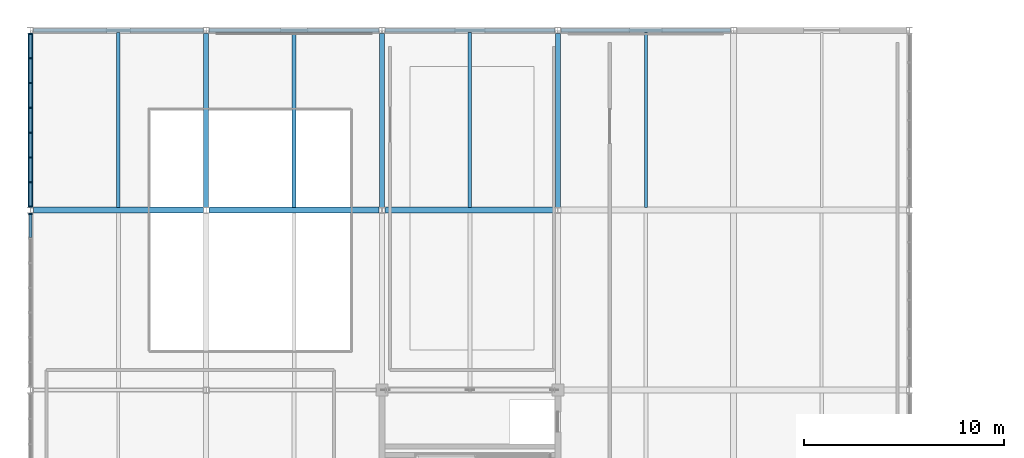
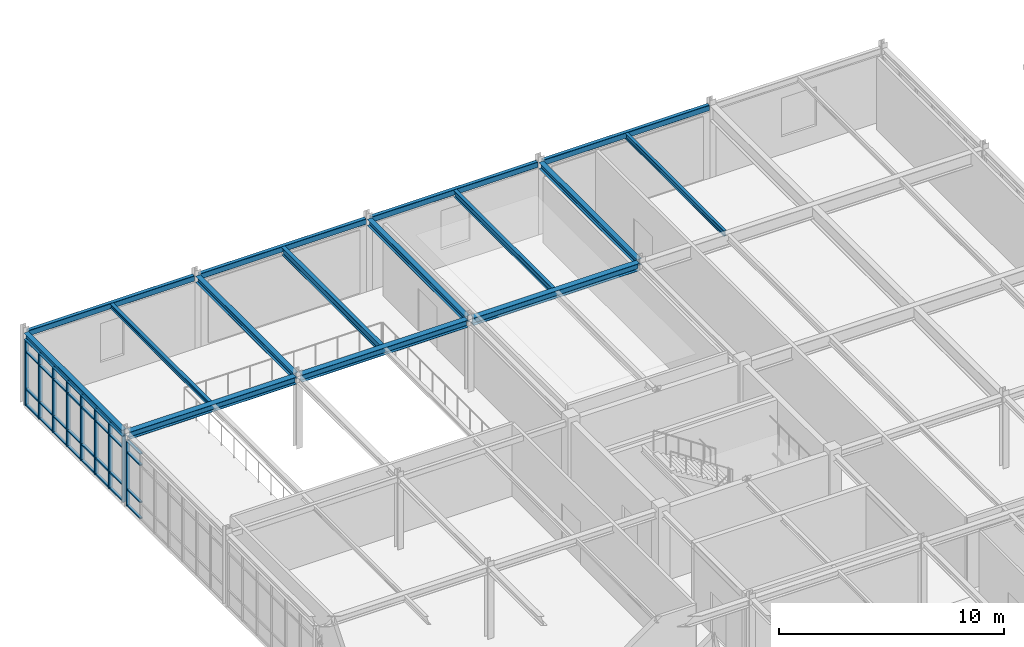
# One storey, part 34 of 88: 41 members, 15 beams, 2 elements without a shape of their own.
"""IFC4 building model written with IfcOpenShell, lengths in metres."""

from ifc_helpers import new_model, si_unit, direction, frame, origin, origin_2d, place, context, subcontext, project, spatial, rectangle, hollow_rectangle, i_section, extrude, material, material_profile, profile_set, type_object, element, aggregate, save


model = new_model("IFC4")

# Units and contexts
model_context = context("Model", 3, precision=1e-05, world=origin(), true_north=direction((0.0, 1.0)))
body_context = subcontext(model_context, "Body", "Model", "MODEL_VIEW")
ifc_project = project(units=[si_unit("LENGTHUNIT", "METRE"), si_unit("AREAUNIT", "SQUARE_METRE"), si_unit("VOLUMEUNIT", "CUBIC_METRE"), si_unit("PLANEANGLEUNIT", "RADIAN"), si_unit("MASSUNIT", "GRAM", prefix="KILO")], contexts=[model_context])

# Site, building, storey
site_placement = place(None, origin())
site = spatial("IfcSite", under=ifc_project, at=site_placement, CompositionType="ELEMENT")
building_placement = place(site_placement, origin())
building = spatial("IfcBuilding", under=site, at=building_placement, Name="Zhaolan Boulevard Law Courts", CompositionType="ELEMENT")
storey_placement = place(building_placement, frame((0.0, 0.0, 16.199951171875)))
storey = spatial("IfcBuildingStorey", under=building, at=storey_placement, Name="L03", CompositionType="ELEMENT", Elevation=16.199951171875)

# Curtain wall, member
ifc_material_1 = material(Name="Thermally broken aluminium and low-E glazing", Category="aluminium")
curtain_wall_type_1 = type_object("IfcCurtainWallType", Name="CURTAIN WALL M5", PredefinedType="USERDEFINED", material=ifc_material_1)
curtain_wall_1_placement = place(storey_placement, origin())
curtain_wall_1 = element("IfcCurtainWall", 1, at=curtain_wall_1_placement, inside=storey, type_object=curtain_wall_type_1, Name="Curtain Wall CW-L03-125", ObjectType="CURTAIN WALL", PredefinedType="USERDEFINED")
ifc_material_2 = material(Name="Fluorocarbon-coated aluminium 6063-T6", Category="aluminium")
ifc_material_profile_1 = material_profile(ifc_material_2, rectangle(XDim=0.179931640625, YDim=0.06494140625, at=origin_2d()), Name="AL65x180")
ifc_profile_set_1 = profile_set([ifc_material_profile_1], Name="Fluorocarbon-coated aluminium 6063-T6")
member_type_1 = type_object("IfcMemberType", Name="CWMULLION 65X180", PredefinedType="MULLION", material=ifc_profile_set_1)
member_1_placement = place(storey_placement, frame((0.0, 102.8154296875, 0.0), z_axis=(0.0, 0.0, 1.0), x_axis=(1.0, 0.0, 0.0)))
member_1 = element("IfcMember", 2, at=member_1_placement, type_object=member_type_1, Name="CW-L03-125 mullion 1", PredefinedType="MULLION", context=body_context, shape_type="SweptSolid", body=[
    extrude(rectangle(XDim=0.179931640625, YDim=0.06494140625, at=origin_2d()), origin(), (0.0, 0.0, 1.0), 3.56298828125),
])

# Curtain wall, members
ifc_material_3 = material(Name="Thermally broken aluminium and low-E glazing", Category="aluminium")
curtain_wall_type_2 = type_object("IfcCurtainWallType", Name="CURTAIN WALL M6", PredefinedType="USERDEFINED", material=ifc_material_3)
curtain_wall_2_placement = place(storey_placement, origin())
curtain_wall_2 = element("IfcCurtainWall", 3, at=curtain_wall_2_placement, inside=storey, type_object=curtain_wall_type_2, Name="Curtain Wall CW-L03-126", ObjectType="CURTAIN WALL", PredefinedType="USERDEFINED")
member_2_placement = place(storey_placement, frame((0.0, 111.8154296875, 0.0), z_axis=(0.0, 0.0, 1.0), x_axis=(1.0, 0.0, 0.0)))
member_2 = element("IfcMember", 4, at=member_2_placement, type_object=member_type_1, Name="CW-L03-126 mullion 1", PredefinedType="MULLION", context=body_context, shape_type="SweptSolid", body=[
    extrude(rectangle(XDim=0.179931640625, YDim=0.06494140625, at=origin_2d()), origin(), (0.0, 0.0, 1.0), 3.56298828125),
])
member_3_placement = place(storey_placement, frame((0.0, 110.605712890625, 0.0), z_axis=(0.0, 0.0, 1.0), x_axis=(1.0, 0.0, 0.0)))
member_3 = element("IfcMember", 5, at=member_3_placement, type_object=member_type_1, Name="CW-L03-126 mullion 2", PredefinedType="MULLION", context=body_context, shape_type="SweptSolid", body=[
    extrude(rectangle(XDim=0.179931640625, YDim=0.06494140625, at=origin_2d()), origin(), (0.0, 0.0, 1.0), 3.56298828125),
])
member_4_placement = place(storey_placement, frame((0.0, 109.363525390625, 0.0), z_axis=(0.0, 0.0, 1.0), x_axis=(1.0, 0.0, 0.0)))
member_4 = element("IfcMember", 6, at=member_4_placement, type_object=member_type_1, Name="CW-L03-126 mullion 3", PredefinedType="MULLION", context=body_context, shape_type="SweptSolid", body=[
    extrude(rectangle(XDim=0.179931640625, YDim=0.06494140625, at=origin_2d()), origin(), (0.0, 0.0, 1.0), 3.56298828125),
])
member_5_placement = place(storey_placement, frame((0.0, 108.12109375, 0.0), z_axis=(0.0, 0.0, 1.0), x_axis=(1.0, 0.0, 0.0)))
member_5 = element("IfcMember", 7, at=member_5_placement, type_object=member_type_1, Name="CW-L03-126 mullion 4", PredefinedType="MULLION", context=body_context, shape_type="SweptSolid", body=[
    extrude(rectangle(XDim=0.179931640625, YDim=0.06494140625, at=origin_2d()), origin(), (0.0, 0.0, 1.0), 3.56298828125),
])
member_6_placement = place(storey_placement, frame((0.0, 106.87890625, 0.0), z_axis=(0.0, 0.0, 1.0), x_axis=(1.0, 0.0, 0.0)))
member_6 = element("IfcMember", 8, at=member_6_placement, type_object=member_type_1, Name="CW-L03-126 mullion 5", PredefinedType="MULLION", context=body_context, shape_type="SweptSolid", body=[
    extrude(rectangle(XDim=0.179931640625, YDim=0.06494140625, at=origin_2d()), origin(), (0.0, 0.0, 1.0), 3.56298828125),
])
member_7_placement = place(storey_placement, frame((0.0, 105.636474609375, 0.0), z_axis=(0.0, 0.0, 1.0), x_axis=(1.0, 0.0, 0.0)))
member_7 = element("IfcMember", 9, at=member_7_placement, type_object=member_type_1, Name="CW-L03-126 mullion 6", PredefinedType="MULLION", context=body_context, shape_type="SweptSolid", body=[
    extrude(rectangle(XDim=0.179931640625, YDim=0.06494140625, at=origin_2d()), origin(), (0.0, 0.0, 1.0), 3.56298828125),
])
member_8_placement = place(storey_placement, frame((0.0, 104.394287109375, 0.0), z_axis=(0.0, 0.0, 1.0), x_axis=(1.0, 0.0, 0.0)))
member_8 = element("IfcMember", 10, at=member_8_placement, type_object=member_type_1, Name="CW-L03-126 mullion 7", PredefinedType="MULLION", context=body_context, shape_type="SweptSolid", body=[
    extrude(rectangle(XDim=0.179931640625, YDim=0.06494140625, at=origin_2d()), origin(), (0.0, 0.0, 1.0), 3.56298828125),
])
member_9_placement = place(storey_placement, frame((0.0, 103.1845703125, 0.0), z_axis=(0.0, 0.0, 1.0), x_axis=(1.0, 0.0, 0.0)))
member_9 = element("IfcMember", 11, at=member_9_placement, type_object=member_type_1, Name="CW-L03-126 mullion 8", PredefinedType="MULLION", context=body_context, shape_type="SweptSolid", body=[
    extrude(rectangle(XDim=0.179931640625, YDim=0.06494140625, at=origin_2d()), origin(), (0.0, 0.0, 1.0), 3.56298828125),
])

# Member
ifc_material_4 = material(Name="Fluorocarbon-coated aluminium 6063-T6", Category="aluminium")
ifc_material_profile_2 = material_profile(ifc_material_4, rectangle(XDim=0.139892578125, YDim=0.06494140625, at=origin_2d()), Name="AL65x140")
ifc_profile_set_2 = profile_set([ifc_material_profile_2], Name="Fluorocarbon-coated aluminium 6063-T6")
member_type_2 = type_object("IfcMemberType", Name="CWTRANSOM 65X140", PredefinedType="USERDEFINED", material=ifc_profile_set_2)
member_10_placement = place(storey_placement, frame((0.0, 102.782958984375, 0.032470703125), z_axis=(0.0, -1.0, 0.0), x_axis=(1.0, 0.0, 0.0)))
member_10 = element("IfcMember", 12, at=member_10_placement, type_object=member_type_2, Name="CW-L03-125 transom 1.1", ObjectType="TRANSOM", PredefinedType="USERDEFINED", context=body_context, shape_type="SweptSolid", body=[
    extrude(rectangle(XDim=0.139892578125, YDim=0.06494140625, at=origin_2d()), origin(), (0.0, 0.0, 1.0), 1.144775390625),
])

member_11_placement = place(storey_placement, frame((0.0, 102.782958984375, 0.900146484375), z_axis=(0.0, -1.0, 0.0), x_axis=(1.0, 0.0, 0.0)))
member_11 = element("IfcMember", 13, at=member_11_placement, type_object=member_type_2, Name="CW-L03-125 transom 1.2", ObjectType="TRANSOM", PredefinedType="USERDEFINED", context=body_context, shape_type="SweptSolid", body=[
    extrude(rectangle(XDim=0.139892578125, YDim=0.06494140625, at=origin_2d()), origin(), (0.0, 0.0, 1.0), 1.144775390625),
])

member_12_placement = place(storey_placement, frame((0.0, 102.782958984375, 2.9130859375), z_axis=(0.0, -1.0, 0.0), x_axis=(1.0, 0.0, 0.0)))
member_12 = element("IfcMember", 14, at=member_12_placement, type_object=member_type_2, Name="CW-L03-125 transom 1.3", ObjectType="TRANSOM", PredefinedType="USERDEFINED", context=body_context, shape_type="SweptSolid", body=[
    extrude(rectangle(XDim=0.139892578125, YDim=0.06494140625, at=origin_2d()), origin(), (0.0, 0.0, 1.0), 1.144775390625),
])

member_13_placement = place(storey_placement, frame((0.0, 102.782958984375, 3.530517578125), z_axis=(0.0, -1.0, 0.0), x_axis=(1.0, 0.0, 0.0)))
member_13 = element("IfcMember", 15, at=member_13_placement, type_object=member_type_2, Name="CW-L03-125 transom 1.4", ObjectType="TRANSOM", PredefinedType="USERDEFINED", context=body_context, shape_type="SweptSolid", body=[
    extrude(rectangle(XDim=0.139892578125, YDim=0.06494140625, at=origin_2d()), origin(), (0.0, 0.0, 1.0), 1.144775390625),
])

aggregate(curtain_wall_1, [member_1, member_10, member_11, member_12, member_13])

member_14_placement = place(storey_placement, frame((0.0, 111.782958984375, 0.032470703125), z_axis=(0.0, -1.0, 0.0), x_axis=(1.0, 0.0, 0.0)))
member_14 = element("IfcMember", 16, at=member_14_placement, type_object=member_type_2, Name="CW-L03-126 transom 1.1", ObjectType="TRANSOM", PredefinedType="USERDEFINED", context=body_context, shape_type="SweptSolid", body=[
    extrude(rectangle(XDim=0.139892578125, YDim=0.06494140625, at=origin_2d()), origin(), (0.0, 0.0, 1.0), 1.144775390625),
])

member_15_placement = place(storey_placement, frame((0.0, 111.782958984375, 0.900146484375), z_axis=(0.0, -1.0, 0.0), x_axis=(1.0, 0.0, 0.0)))
member_15 = element("IfcMember", 17, at=member_15_placement, type_object=member_type_2, Name="CW-L03-126 transom 1.2", ObjectType="TRANSOM", PredefinedType="USERDEFINED", context=body_context, shape_type="SweptSolid", body=[
    extrude(rectangle(XDim=0.139892578125, YDim=0.06494140625, at=origin_2d()), origin(), (0.0, 0.0, 1.0), 1.144775390625),
])

member_16_placement = place(storey_placement, frame((0.0, 111.782958984375, 2.9130859375), z_axis=(0.0, -1.0, 0.0), x_axis=(1.0, 0.0, 0.0)))
member_16 = element("IfcMember", 18, at=member_16_placement, type_object=member_type_2, Name="CW-L03-126 transom 1.3", ObjectType="TRANSOM", PredefinedType="USERDEFINED", context=body_context, shape_type="SweptSolid", body=[
    extrude(rectangle(XDim=0.139892578125, YDim=0.06494140625, at=origin_2d()), origin(), (0.0, 0.0, 1.0), 1.144775390625),
])

member_17_placement = place(storey_placement, frame((0.0, 111.782958984375, 3.530517578125), z_axis=(0.0, -1.0, 0.0), x_axis=(1.0, 0.0, 0.0)))
member_17 = element("IfcMember", 19, at=member_17_placement, type_object=member_type_2, Name="CW-L03-126 transom 1.4", ObjectType="TRANSOM", PredefinedType="USERDEFINED", context=body_context, shape_type="SweptSolid", body=[
    extrude(rectangle(XDim=0.139892578125, YDim=0.06494140625, at=origin_2d()), origin(), (0.0, 0.0, 1.0), 1.144775390625),
])

member_18_placement = place(storey_placement, frame((0.0, 110.5732421875, 0.032470703125), z_axis=(0.0, -1.0, 0.0), x_axis=(1.0, 0.0, 0.0)))
member_18 = element("IfcMember", 20, at=member_18_placement, type_object=member_type_2, Name="CW-L03-126 transom 2.1", ObjectType="TRANSOM", PredefinedType="USERDEFINED", context=body_context, shape_type="SweptSolid", body=[
    extrude(rectangle(XDim=0.139892578125, YDim=0.06494140625, at=origin_2d()), origin(), (0.0, 0.0, 1.0), 1.17724609375),
])

member_19_placement = place(storey_placement, frame((0.0, 110.5732421875, 0.900146484375), z_axis=(0.0, -1.0, 0.0), x_axis=(1.0, 0.0, 0.0)))
member_19 = element("IfcMember", 21, at=member_19_placement, type_object=member_type_2, Name="CW-L03-126 transom 2.2", ObjectType="TRANSOM", PredefinedType="USERDEFINED", context=body_context, shape_type="SweptSolid", body=[
    extrude(rectangle(XDim=0.139892578125, YDim=0.06494140625, at=origin_2d()), origin(), (0.0, 0.0, 1.0), 1.17724609375),
])

member_20_placement = place(storey_placement, frame((0.0, 110.5732421875, 2.9130859375), z_axis=(0.0, -1.0, 0.0), x_axis=(1.0, 0.0, 0.0)))
member_20 = element("IfcMember", 22, at=member_20_placement, type_object=member_type_2, Name="CW-L03-126 transom 2.3", ObjectType="TRANSOM", PredefinedType="USERDEFINED", context=body_context, shape_type="SweptSolid", body=[
    extrude(rectangle(XDim=0.139892578125, YDim=0.06494140625, at=origin_2d()), origin(), (0.0, 0.0, 1.0), 1.17724609375),
])

member_21_placement = place(storey_placement, frame((0.0, 110.5732421875, 3.530517578125), z_axis=(0.0, -1.0, 0.0), x_axis=(1.0, 0.0, 0.0)))
member_21 = element("IfcMember", 23, at=member_21_placement, type_object=member_type_2, Name="CW-L03-126 transom 2.4", ObjectType="TRANSOM", PredefinedType="USERDEFINED", context=body_context, shape_type="SweptSolid", body=[
    extrude(rectangle(XDim=0.139892578125, YDim=0.06494140625, at=origin_2d()), origin(), (0.0, 0.0, 1.0), 1.17724609375),
])

member_22_placement = place(storey_placement, frame((0.0, 109.330810546875, 0.032470703125), z_axis=(0.0, -1.0, 0.0), x_axis=(1.0, 0.0, 0.0)))
member_22 = element("IfcMember", 24, at=member_22_placement, type_object=member_type_2, Name="CW-L03-126 transom 3.1", ObjectType="TRANSOM", PredefinedType="USERDEFINED", context=body_context, shape_type="SweptSolid", body=[
    extrude(rectangle(XDim=0.139892578125, YDim=0.06494140625, at=origin_2d()), origin(), (0.0, 0.0, 1.0), 1.17724609375),
])

member_23_placement = place(storey_placement, frame((0.0, 109.330810546875, 0.900146484375), z_axis=(0.0, -1.0, 0.0), x_axis=(1.0, 0.0, 0.0)))
member_23 = element("IfcMember", 25, at=member_23_placement, type_object=member_type_2, Name="CW-L03-126 transom 3.2", ObjectType="TRANSOM", PredefinedType="USERDEFINED", context=body_context, shape_type="SweptSolid", body=[
    extrude(rectangle(XDim=0.139892578125, YDim=0.06494140625, at=origin_2d()), origin(), (0.0, 0.0, 1.0), 1.17724609375),
])

member_24_placement = place(storey_placement, frame((0.0, 109.330810546875, 2.9130859375), z_axis=(0.0, -1.0, 0.0), x_axis=(1.0, 0.0, 0.0)))
member_24 = element("IfcMember", 26, at=member_24_placement, type_object=member_type_2, Name="CW-L03-126 transom 3.3", ObjectType="TRANSOM", PredefinedType="USERDEFINED", context=body_context, shape_type="SweptSolid", body=[
    extrude(rectangle(XDim=0.139892578125, YDim=0.06494140625, at=origin_2d()), origin(), (0.0, 0.0, 1.0), 1.17724609375),
])

member_25_placement = place(storey_placement, frame((0.0, 109.330810546875, 3.530517578125), z_axis=(0.0, -1.0, 0.0), x_axis=(1.0, 0.0, 0.0)))
member_25 = element("IfcMember", 27, at=member_25_placement, type_object=member_type_2, Name="CW-L03-126 transom 3.4", ObjectType="TRANSOM", PredefinedType="USERDEFINED", context=body_context, shape_type="SweptSolid", body=[
    extrude(rectangle(XDim=0.139892578125, YDim=0.06494140625, at=origin_2d()), origin(), (0.0, 0.0, 1.0), 1.17724609375),
])

member_26_placement = place(storey_placement, frame((0.0, 108.088623046875, 0.032470703125), z_axis=(0.0, -1.0, 0.0), x_axis=(1.0, 0.0, 0.0)))
member_26 = element("IfcMember", 28, at=member_26_placement, type_object=member_type_2, Name="CW-L03-126 transom 4.1", ObjectType="TRANSOM", PredefinedType="USERDEFINED", context=body_context, shape_type="SweptSolid", body=[
    extrude(rectangle(XDim=0.139892578125, YDim=0.06494140625, at=origin_2d()), origin(), (0.0, 0.0, 1.0), 1.17724609375),
])

member_27_placement = place(storey_placement, frame((0.0, 108.088623046875, 0.900146484375), z_axis=(0.0, -1.0, 0.0), x_axis=(1.0, 0.0, 0.0)))
member_27 = element("IfcMember", 29, at=member_27_placement, type_object=member_type_2, Name="CW-L03-126 transom 4.2", ObjectType="TRANSOM", PredefinedType="USERDEFINED", context=body_context, shape_type="SweptSolid", body=[
    extrude(rectangle(XDim=0.139892578125, YDim=0.06494140625, at=origin_2d()), origin(), (0.0, 0.0, 1.0), 1.17724609375),
])

member_28_placement = place(storey_placement, frame((0.0, 108.088623046875, 2.9130859375), z_axis=(0.0, -1.0, 0.0), x_axis=(1.0, 0.0, 0.0)))
member_28 = element("IfcMember", 30, at=member_28_placement, type_object=member_type_2, Name="CW-L03-126 transom 4.3", ObjectType="TRANSOM", PredefinedType="USERDEFINED", context=body_context, shape_type="SweptSolid", body=[
    extrude(rectangle(XDim=0.139892578125, YDim=0.06494140625, at=origin_2d()), origin(), (0.0, 0.0, 1.0), 1.17724609375),
])

member_29_placement = place(storey_placement, frame((0.0, 108.088623046875, 3.530517578125), z_axis=(0.0, -1.0, 0.0), x_axis=(1.0, 0.0, 0.0)))
member_29 = element("IfcMember", 31, at=member_29_placement, type_object=member_type_2, Name="CW-L03-126 transom 4.4", ObjectType="TRANSOM", PredefinedType="USERDEFINED", context=body_context, shape_type="SweptSolid", body=[
    extrude(rectangle(XDim=0.139892578125, YDim=0.06494140625, at=origin_2d()), origin(), (0.0, 0.0, 1.0), 1.17724609375),
])

member_30_placement = place(storey_placement, frame((0.0, 106.846435546875, 0.032470703125), z_axis=(0.0, -1.0, 0.0), x_axis=(1.0, 0.0, 0.0)))
member_30 = element("IfcMember", 32, at=member_30_placement, type_object=member_type_2, Name="CW-L03-126 transom 5.1", ObjectType="TRANSOM", PredefinedType="USERDEFINED", context=body_context, shape_type="SweptSolid", body=[
    extrude(rectangle(XDim=0.139892578125, YDim=0.06494140625, at=origin_2d()), origin(), (0.0, 0.0, 1.0), 1.17724609375),
])

member_31_placement = place(storey_placement, frame((0.0, 106.846435546875, 0.900146484375), z_axis=(0.0, -1.0, 0.0), x_axis=(1.0, 0.0, 0.0)))
member_31 = element("IfcMember", 33, at=member_31_placement, type_object=member_type_2, Name="CW-L03-126 transom 5.2", ObjectType="TRANSOM", PredefinedType="USERDEFINED", context=body_context, shape_type="SweptSolid", body=[
    extrude(rectangle(XDim=0.139892578125, YDim=0.06494140625, at=origin_2d()), origin(), (0.0, 0.0, 1.0), 1.17724609375),
])

member_32_placement = place(storey_placement, frame((0.0, 106.846435546875, 2.9130859375), z_axis=(0.0, -1.0, 0.0), x_axis=(1.0, 0.0, 0.0)))
member_32 = element("IfcMember", 34, at=member_32_placement, type_object=member_type_2, Name="CW-L03-126 transom 5.3", ObjectType="TRANSOM", PredefinedType="USERDEFINED", context=body_context, shape_type="SweptSolid", body=[
    extrude(rectangle(XDim=0.139892578125, YDim=0.06494140625, at=origin_2d()), origin(), (0.0, 0.0, 1.0), 1.17724609375),
])

member_33_placement = place(storey_placement, frame((0.0, 106.846435546875, 3.530517578125), z_axis=(0.0, -1.0, 0.0), x_axis=(1.0, 0.0, 0.0)))
member_33 = element("IfcMember", 35, at=member_33_placement, type_object=member_type_2, Name="CW-L03-126 transom 5.4", ObjectType="TRANSOM", PredefinedType="USERDEFINED", context=body_context, shape_type="SweptSolid", body=[
    extrude(rectangle(XDim=0.139892578125, YDim=0.06494140625, at=origin_2d()), origin(), (0.0, 0.0, 1.0), 1.17724609375),
])

member_34_placement = place(storey_placement, frame((0.0, 105.60400390625, 0.032470703125), z_axis=(0.0, -1.0, 0.0), x_axis=(1.0, 0.0, 0.0)))
member_34 = element("IfcMember", 36, at=member_34_placement, type_object=member_type_2, Name="CW-L03-126 transom 6.1", ObjectType="TRANSOM", PredefinedType="USERDEFINED", context=body_context, shape_type="SweptSolid", body=[
    extrude(rectangle(XDim=0.139892578125, YDim=0.06494140625, at=origin_2d()), origin(), (0.0, 0.0, 1.0), 1.17724609375),
])

member_35_placement = place(storey_placement, frame((0.0, 105.60400390625, 0.900146484375), z_axis=(0.0, -1.0, 0.0), x_axis=(1.0, 0.0, 0.0)))
member_35 = element("IfcMember", 37, at=member_35_placement, type_object=member_type_2, Name="CW-L03-126 transom 6.2", ObjectType="TRANSOM", PredefinedType="USERDEFINED", context=body_context, shape_type="SweptSolid", body=[
    extrude(rectangle(XDim=0.139892578125, YDim=0.06494140625, at=origin_2d()), origin(), (0.0, 0.0, 1.0), 1.17724609375),
])

member_36_placement = place(storey_placement, frame((0.0, 105.60400390625, 2.9130859375), z_axis=(0.0, -1.0, 0.0), x_axis=(1.0, 0.0, 0.0)))
member_36 = element("IfcMember", 38, at=member_36_placement, type_object=member_type_2, Name="CW-L03-126 transom 6.3", ObjectType="TRANSOM", PredefinedType="USERDEFINED", context=body_context, shape_type="SweptSolid", body=[
    extrude(rectangle(XDim=0.139892578125, YDim=0.06494140625, at=origin_2d()), origin(), (0.0, 0.0, 1.0), 1.17724609375),
])

member_37_placement = place(storey_placement, frame((0.0, 105.60400390625, 3.530517578125), z_axis=(0.0, -1.0, 0.0), x_axis=(1.0, 0.0, 0.0)))
member_37 = element("IfcMember", 39, at=member_37_placement, type_object=member_type_2, Name="CW-L03-126 transom 6.4", ObjectType="TRANSOM", PredefinedType="USERDEFINED", context=body_context, shape_type="SweptSolid", body=[
    extrude(rectangle(XDim=0.139892578125, YDim=0.06494140625, at=origin_2d()), origin(), (0.0, 0.0, 1.0), 1.17724609375),
])

member_38_placement = place(storey_placement, frame((0.0, 104.36181640625, 0.032470703125), z_axis=(0.0, -1.0, 0.0), x_axis=(1.0, 0.0, 0.0)))
member_38 = element("IfcMember", 40, at=member_38_placement, type_object=member_type_2, Name="CW-L03-126 transom 7.1", ObjectType="TRANSOM", PredefinedType="USERDEFINED", context=body_context, shape_type="SweptSolid", body=[
    extrude(rectangle(XDim=0.139892578125, YDim=0.06494140625, at=origin_2d()), origin(), (0.0, 0.0, 1.0), 1.144775390625),
])

member_39_placement = place(storey_placement, frame((0.0, 104.36181640625, 0.900146484375), z_axis=(0.0, -1.0, 0.0), x_axis=(1.0, 0.0, 0.0)))
member_39 = element("IfcMember", 41, at=member_39_placement, type_object=member_type_2, Name="CW-L03-126 transom 7.2", ObjectType="TRANSOM", PredefinedType="USERDEFINED", context=body_context, shape_type="SweptSolid", body=[
    extrude(rectangle(XDim=0.139892578125, YDim=0.06494140625, at=origin_2d()), origin(), (0.0, 0.0, 1.0), 1.144775390625),
])

member_40_placement = place(storey_placement, frame((0.0, 104.36181640625, 2.9130859375), z_axis=(0.0, -1.0, 0.0), x_axis=(1.0, 0.0, 0.0)))
member_40 = element("IfcMember", 42, at=member_40_placement, type_object=member_type_2, Name="CW-L03-126 transom 7.3", ObjectType="TRANSOM", PredefinedType="USERDEFINED", context=body_context, shape_type="SweptSolid", body=[
    extrude(rectangle(XDim=0.139892578125, YDim=0.06494140625, at=origin_2d()), origin(), (0.0, 0.0, 1.0), 1.144775390625),
])

member_41_placement = place(storey_placement, frame((0.0, 104.36181640625, 3.530517578125), z_axis=(0.0, -1.0, 0.0), x_axis=(1.0, 0.0, 0.0)))
member_41 = element("IfcMember", 43, at=member_41_placement, type_object=member_type_2, Name="CW-L03-126 transom 7.4", ObjectType="TRANSOM", PredefinedType="USERDEFINED", context=body_context, shape_type="SweptSolid", body=[
    extrude(rectangle(XDim=0.139892578125, YDim=0.06494140625, at=origin_2d()), origin(), (0.0, 0.0, 1.0), 1.144775390625),
])

aggregate(curtain_wall_2, [member_2, member_3, member_4, member_5, member_6, member_7, member_8, member_9, member_14, member_15, member_16, member_17, member_18, member_19, member_20, member_21, member_22, member_23, member_24, member_25, member_26, member_27, member_28, member_29, member_30, member_31, member_32, member_33, member_34, member_35, member_36, member_37, member_38, member_39, member_40, member_41])

# Beams
ifc_material_5 = material(Name="Structural steel Q355B", Category="steel")
ifc_material_profile_3 = material_profile(ifc_material_5, i_section(OverallWidth=0.25, OverallDepth=0.340087890625, WebThickness=0.009033203125, FlangeThickness=0.013916015625, FilletRadius=0.01611328125, at=origin_2d()), Name="HM340x250")
ifc_profile_set_3 = profile_set([ifc_material_profile_3], Name="Structural steel Q355B")
beam_type_1 = type_object("IfcBeamType", Name="GIRDER HM340", PredefinedType="BEAM", material=ifc_profile_set_3)
for number, where, z_axis, x_axis, name in (
    (44, (0.0, 103.14599609375, 3.748046875), (0.0, 1.0, 0.0), (-1.0, 0.0, 0.0), "Beam BY-L04-1-P-Q"),
    (45, (8.800048828125, 103.14599609375, 3.748046875), (0.0, 1.0, 0.0), (-1.0, 0.0, 0.0), "Beam BY-L04-2-P-Q"),
    (46, (17.60009765625, 103.14599609375, 3.748046875), (0.0, 1.0, 0.0), (-1.0, 0.0, 0.0), "Beam BY-L04-3-P-Q"),
    (47, (26.39990234375, 103.14599609375, 3.748046875), (0.0, 1.0, 0.0), (-1.0, 0.0, 0.0), "Beam BY-L04-4-P-Q"),
):
    element("IfcBeam", number, at=place(storey_placement, frame(where, z_axis=z_axis, x_axis=x_axis)), inside=storey, type_object=beam_type_1, Name=name, PredefinedType="BEAM", context=body_context, shape_type="SweptSolid", body=[
        extrude(i_section(OverallWidth=0.25, OverallDepth=0.340087890625, WebThickness=0.009033203125, FlangeThickness=0.013916015625, FilletRadius=0.01611328125, at=origin_2d()), origin(), (0.0, 0.0, 1.0), 8.7080078125),
    ])
ifc_material_6 = material(Name="Structural steel Q355B", Category="steel")
ifc_material_profile_4 = material_profile(ifc_material_6, i_section(OverallWidth=0.300048828125, OverallDepth=0.389892578125, WebThickness=0.010009765625, FlangeThickness=0.01611328125, FilletRadius=0.01806640625, at=origin_2d()), Name="HM390x300")
ifc_profile_set_4 = profile_set([ifc_material_profile_4], Name="Structural steel Q355B")
beam_type_2 = type_object("IfcBeamType", Name="GIRDER HM390", PredefinedType="BEAM", material=ifc_profile_set_4)
for number, where, z_axis, x_axis, name in (
    (48, (0.14599609375, 103.0, 3.72314453125), (1.0, 0.0, 0.0), (0.0, 1.0, 0.0), "Beam BX-L04-1-2-P"),
    (49, (8.946044921875, 103.0, 3.72314453125), (1.0, 0.0, 0.0), (0.0, 1.0, 0.0), "Beam BX-L04-2-3-P"),
):
    element("IfcBeam", number, at=place(storey_placement, frame(where, z_axis=z_axis, x_axis=x_axis)), inside=storey, type_object=beam_type_2, Name=name, PredefinedType="BEAM", context=body_context, shape_type="SweptSolid", body=[
        extrude(i_section(OverallWidth=0.300048828125, OverallDepth=0.389892578125, WebThickness=0.010009765625, FlangeThickness=0.01611328125, FilletRadius=0.01806640625, at=origin_2d()), origin(), (0.0, 0.0, 1.0), 8.508056640625),
    ])
beam_1_placement = place(storey_placement, frame((17.74609375, 103.0, 3.72314453125), z_axis=(1.0, 0.0, 0.0), x_axis=(0.0, 1.0, 0.0)))
element("IfcBeam", 50, at=beam_1_placement, inside=storey, type_object=beam_type_2, Name="Beam BX-L04-3-4-P", PredefinedType="BEAM", context=body_context, shape_type="SweptSolid", body=[
    extrude(i_section(OverallWidth=0.300048828125, OverallDepth=0.389892578125, WebThickness=0.010009765625, FlangeThickness=0.01611328125, FilletRadius=0.01806640625, at=origin_2d()), origin(), (0.0, 0.0, 1.0), 8.5078125),
])
ifc_material_7 = material(Name="Structural steel Q355B", Category="steel")
ifc_material_profile_5 = material_profile(ifc_material_7, i_section(OverallWidth=0.175048828125, OverallDepth=0.243896484375, WebThickness=0.007080078125, FlangeThickness=0.010986328125, FilletRadius=0.012939453125, at=origin_2d()), Name="HM244x175")
ifc_profile_set_5 = profile_set([ifc_material_profile_5], Name="Structural steel Q355B")
beam_type_3 = type_object("IfcBeamType", Name="JOIST HM244", PredefinedType="JOIST", material=ifc_profile_set_5)
beam_2_placement = place(storey_placement, frame((4.39990234375, 103.14599609375, 3.796142578125), z_axis=(0.0, 1.0, 0.0), x_axis=(-1.0, 0.0, 0.0)))
element("IfcBeam", 51, at=beam_2_placement, inside=storey, type_object=beam_type_3, Name="Composite Joist J-L04-1P", PredefinedType="JOIST", context=body_context, shape_type="SweptSolid", body=[
    extrude(i_section(OverallWidth=0.175048828125, OverallDepth=0.243896484375, WebThickness=0.007080078125, FlangeThickness=0.010986328125, FilletRadius=0.012939453125, at=origin_2d()), origin(), (0.0, 0.0, 1.0), 8.758056640625),
])
ifc_material_8 = material(Name="Structural steel Q355B", Category="steel")
ifc_material_profile_6 = material_profile(ifc_material_8, i_section(OverallWidth=0.14990234375, OverallDepth=0.300048828125, WebThickness=0.006591796875, FlangeThickness=0.009033203125, FilletRadius=0.010986328125, at=origin_2d()), Name="HN300x150")
ifc_profile_set_6 = profile_set([ifc_material_profile_6], Name="Structural steel Q355B")
beam_type_4 = type_object("IfcBeamType", Name="JOIST HN300", PredefinedType="JOIST", material=ifc_profile_set_6)
beam_3_placement = place(storey_placement, frame((30.800048828125, 103.14599609375, 3.76806640625), z_axis=(0.0, 1.0, 0.0), x_axis=(-1.0, 0.0, 0.0)))
element("IfcBeam", 52, at=beam_3_placement, inside=storey, type_object=beam_type_4, Name="Composite Joist J-L04-4P", PredefinedType="JOIST", context=body_context, shape_type="SweptSolid", body=[
    extrude(i_section(OverallWidth=0.14990234375, OverallDepth=0.300048828125, WebThickness=0.006591796875, FlangeThickness=0.009033203125, FilletRadius=0.010986328125, at=origin_2d()), origin(), (0.0, 0.0, 1.0), 8.758056640625),
])
ifc_material_9 = material(Name="Structural steel Q355B", Category="steel")
ifc_material_profile_7 = material_profile(ifc_material_9, i_section(OverallWidth=0.175048828125, OverallDepth=0.35009765625, WebThickness=0.007080078125, FlangeThickness=0.010986328125, FilletRadius=0.012939453125, at=origin_2d()), Name="HN350x175")
ifc_profile_set_7 = profile_set([ifc_material_profile_7], Name="Structural steel Q355B")
beam_type_5 = type_object("IfcBeamType", Name="JOIST HN350", PredefinedType="JOIST", material=ifc_profile_set_7)
beam_4_placement = place(storey_placement, frame((22.0, 103.14599609375, 3.7431640625), z_axis=(0.0, 1.0, 0.0), x_axis=(-1.0, 0.0, 0.0)))
element("IfcBeam", 53, at=beam_4_placement, inside=storey, type_object=beam_type_5, Name="Composite Joist J-L04-3P", PredefinedType="JOIST", context=body_context, shape_type="SweptSolid", body=[
    extrude(i_section(OverallWidth=0.175048828125, OverallDepth=0.35009765625, WebThickness=0.007080078125, FlangeThickness=0.010986328125, FilletRadius=0.012939453125, at=origin_2d()), origin(), (0.0, 0.0, 1.0), 8.758056640625),
])
ifc_material_10 = material(Name="Structural steel Q355B", Category="steel")
ifc_material_profile_8 = material_profile(ifc_material_10, i_section(OverallWidth=0.199951171875, OverallDepth=0.39990234375, WebThickness=0.008056640625, FlangeThickness=0.012939453125, FilletRadius=0.013916015625, at=origin_2d()), Name="HN400x200")
ifc_profile_set_8 = profile_set([ifc_material_profile_8], Name="Structural steel Q355B")
beam_type_6 = type_object("IfcBeamType", Name="JOIST HN400", PredefinedType="JOIST", material=ifc_profile_set_8)
beam_5_placement = place(storey_placement, frame((13.199951171875, 103.14599609375, 3.718017578125), z_axis=(0.0, 1.0, 0.0), x_axis=(-1.0, 0.0, 0.0)))
element("IfcBeam", 54, at=beam_5_placement, inside=storey, type_object=beam_type_6, Name="Composite Joist J-L04-2P", PredefinedType="JOIST", context=body_context, shape_type="SweptSolid", body=[
    extrude(i_section(OverallWidth=0.199951171875, OverallDepth=0.39990234375, WebThickness=0.008056640625, FlangeThickness=0.012939453125, FilletRadius=0.013916015625, at=origin_2d()), origin(), (0.0, 0.0, 1.0), 8.758056640625),
])
ifc_material_11 = material(Name="Structural steel Q355B", Category="steel")
ifc_material_profile_9 = material_profile(ifc_material_11, hollow_rectangle(XDim=0.199951171875, YDim=0.300048828125, WallThickness=0.011962890625, InnerFilletRadius=0.011962890625, OuterFilletRadius=0.02392578125, at=origin_2d()), Name="HSS300x200x12")
ifc_profile_set_9 = profile_set([ifc_material_profile_9], Name="Structural steel Q355B")
beam_type_7 = type_object("IfcBeamType", Name="SPANDREL HSS300", PredefinedType="SPANDREL", material=ifc_profile_set_9)
for number, where, z_axis, x_axis, name in (
    (55, (0.14599609375, 112.0, 3.76806640625), (1.0, 0.0, 0.0), (0.0, 1.0, 0.0), "Beam BX-L04-1-2-Q"),
    (56, (8.946044921875, 112.0, 3.76806640625), (1.0, 0.0, 0.0), (0.0, 1.0, 0.0), "Beam BX-L04-2-3-Q"),
):
    element("IfcBeam", number, at=place(storey_placement, frame(where, z_axis=z_axis, x_axis=x_axis)), inside=storey, type_object=beam_type_7, Name=name, PredefinedType="SPANDREL", context=body_context, shape_type="SweptSolid", body=[
        extrude(hollow_rectangle(XDim=0.199951171875, YDim=0.300048828125, WallThickness=0.011962890625, InnerFilletRadius=0.011962890625, OuterFilletRadius=0.02392578125, at=origin_2d()), origin(), (0.0, 0.0, 1.0), 8.508056640625),
    ])
beam_6_placement = place(storey_placement, frame((17.74609375, 112.0, 3.76806640625), z_axis=(1.0, 0.0, 0.0), x_axis=(0.0, 1.0, 0.0)))
element("IfcBeam", 57, at=beam_6_placement, inside=storey, type_object=beam_type_7, Name="Beam BX-L04-3-4-Q", PredefinedType="SPANDREL", context=body_context, shape_type="SweptSolid", body=[
    extrude(hollow_rectangle(XDim=0.199951171875, YDim=0.300048828125, WallThickness=0.011962890625, InnerFilletRadius=0.011962890625, OuterFilletRadius=0.02392578125, at=origin_2d()), origin(), (0.0, 0.0, 1.0), 8.5078125),
])
beam_7_placement = place(storey_placement, frame((26.5458984375, 112.0, 3.76806640625), z_axis=(1.0, 0.0, 0.0), x_axis=(0.0, 1.0, 0.0)))
element("IfcBeam", 58, at=beam_7_placement, inside=storey, type_object=beam_type_7, Name="Beam BX-L04-4-5-Q", PredefinedType="SPANDREL", context=body_context, shape_type="SweptSolid", body=[
    extrude(hollow_rectangle(XDim=0.199951171875, YDim=0.300048828125, WallThickness=0.011962890625, InnerFilletRadius=0.011962890625, OuterFilletRadius=0.02392578125, at=origin_2d()), origin(), (0.0, 0.0, 1.0), 8.508056640625),
])

save(model, "model.ifc")
